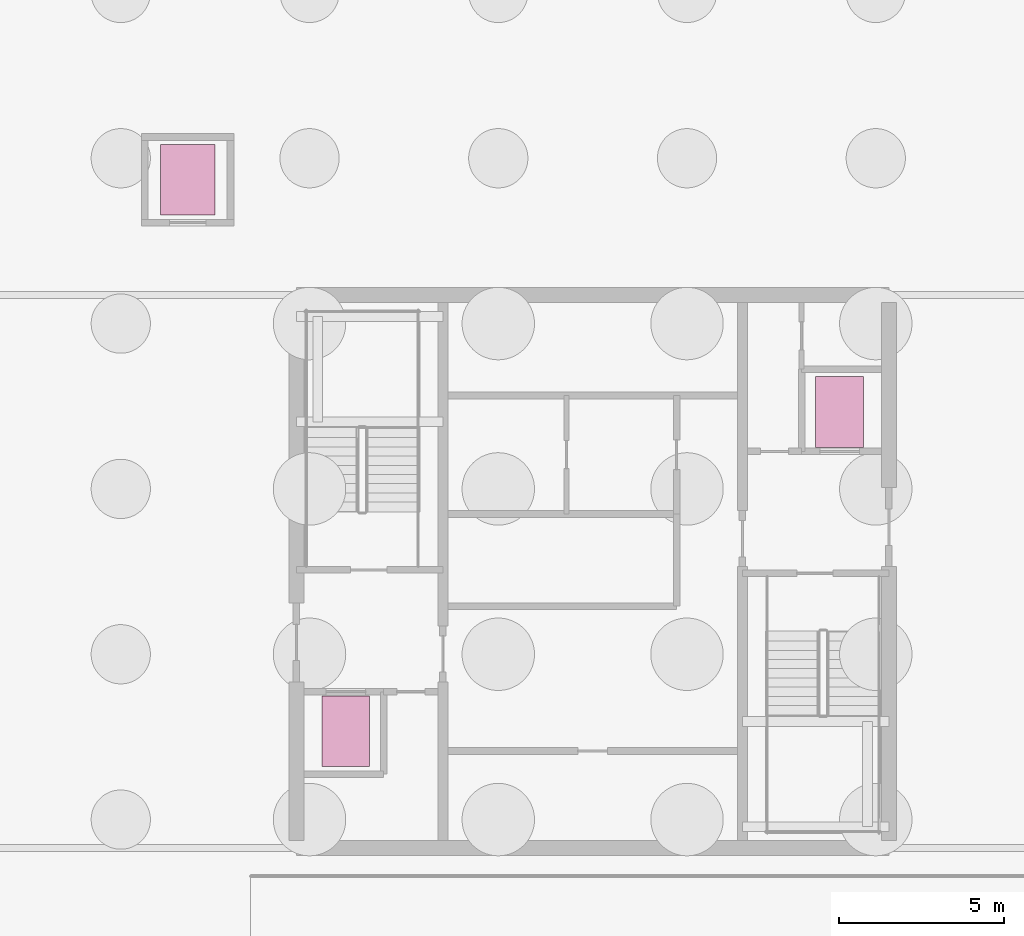
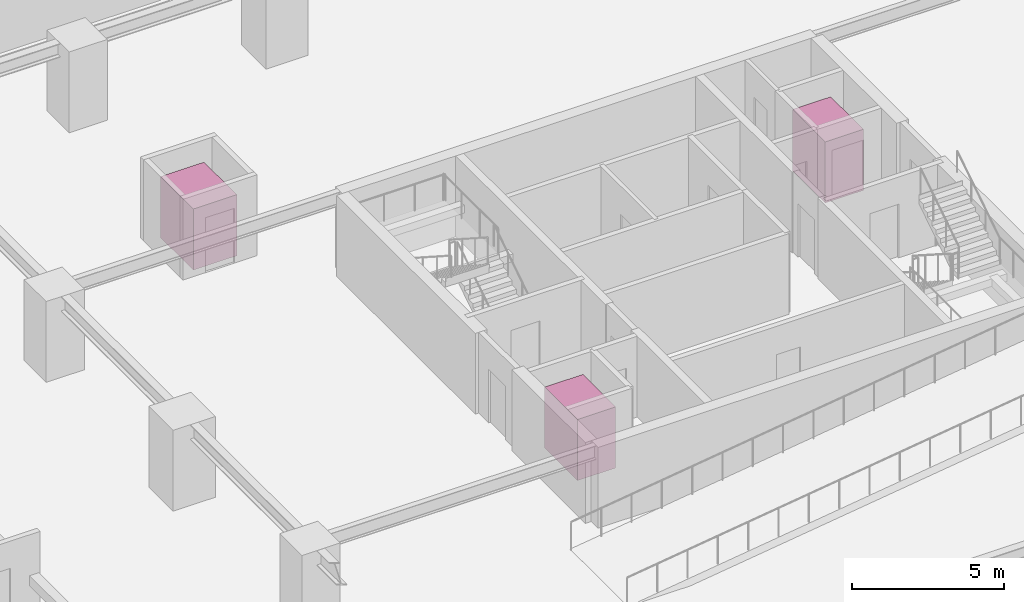
# One storey, part 12 of 12: 3 transport elements.
"""IFC4 building model written with IfcOpenShell, lengths in metres."""

from ifc_helpers import new_model, si_unit, direction, frame, origin, origin_2d, place, context, subcontext, project, spatial, rectangle, extrude, source, transform, mapped, material, type_object, element, save


model = new_model("IFC4")

# Units and contexts
model_context = context("Model", 3, precision=1e-05, world=origin(), true_north=direction((0.0, 1.0)))
body_context = subcontext(model_context, "Body", "Model", "MODEL_VIEW")
ifc_project = project(units=[si_unit("LENGTHUNIT", "METRE"), si_unit("AREAUNIT", "SQUARE_METRE"), si_unit("VOLUMEUNIT", "CUBIC_METRE"), si_unit("PLANEANGLEUNIT", "RADIAN"), si_unit("MASSUNIT", "GRAM", prefix="KILO")], contexts=[model_context])

# Site, building, storey
site_placement = place(None, origin())
site = spatial("IfcSite", under=ifc_project, at=site_placement, CompositionType="ELEMENT")
building_placement = place(site_placement, origin())
building = spatial("IfcBuilding", under=site, at=building_placement, Name="Serunith Strait Residences", CompositionType="ELEMENT")
storey_placement = place(building_placement, frame((0.0, 0.0, -10.800048828125)))
storey = spatial("IfcBuildingStorey", under=building, at=storey_placement, Name="B03", CompositionType="ELEMENT", Elevation=-10.800048828125)

# Transport elements
ifc_material_1 = material(Name="Stainless steel 316L firefighting lift car", Category="steel")
transport_element_type_1 = type_object("IfcTransportElementType", Name="LIFT-FF", PredefinedType="ELEVATOR", material=ifc_material_1)
shared_shape_1 = source(origin(), body_context, "Body", "SweptSolid", [
    extrude(rectangle(XDim=1.449951171875, YDim=2.14990234375, at=origin_2d()), origin(), (0.0, 0.0, 1.0), 2.449951171875),
])
for number, where, z_axis, x_axis, name in (
    (1, (24.89990234375, 20.35009765625, 0.0), (0.0, 0.0, 1.0), (1.0, 0.0, 0.0), "Firefighting Stretcher Lift FL-1 (FL-1)"),
    (2, (39.89990234375, 30.050048828125, 0.0), (0.0, 0.0, 1.0), (1.0, 0.0, 0.0), "Firefighting Stretcher Lift FL-2 (FL-2)"),
):
    element("IfcTransportElement", number, at=place(storey_placement, frame(where, z_axis=z_axis, x_axis=x_axis)), inside=storey, type_object=transport_element_type_1, Name=name, PredefinedType="ELEVATOR", context=body_context, shape_type="MappedRepresentation", body=[
        mapped(shared_shape_1, transform((0.0, 0.0, 0.0), scale=1.0)),
    ])
ifc_material_2 = material(Name="Heavy-duty stainless service lift car")
transport_element_type_2 = type_object("IfcTransportElementType", Name="LIFT-SVC-POD", PredefinedType="ELEVATOR", material=ifc_material_2)
shared_shape_2 = source(origin(), body_context, "Body", "SweptSolid", [
    extrude(rectangle(XDim=1.64990234375, YDim=2.14990234375, at=origin_2d()), origin(), (0.0, 0.0, 1.0), 2.449951171875),
])
transport_element_placement = place(storey_placement, frame((20.10009765625, 37.10009765625, 0.0), z_axis=(0.0, 0.0, 1.0), x_axis=(1.0, 0.0, 0.0)))
element("IfcTransportElement", 3, at=transport_element_placement, inside=storey, type_object=transport_element_type_2, Name="Car-Park & Podium Service Lift SV-1 (SV-1)", PredefinedType="ELEVATOR", context=body_context, shape_type="MappedRepresentation", body=[
    mapped(shared_shape_2, transform((0.0, 0.0, 0.0), scale=1.0)),
])

save(model, "model.ifc")
